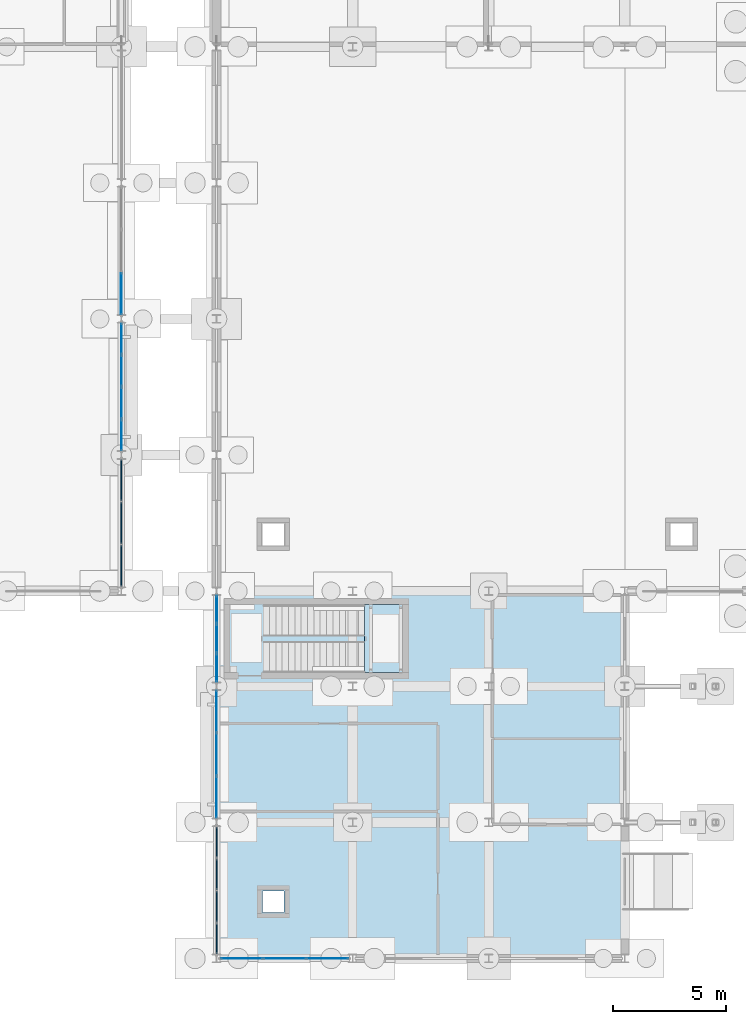
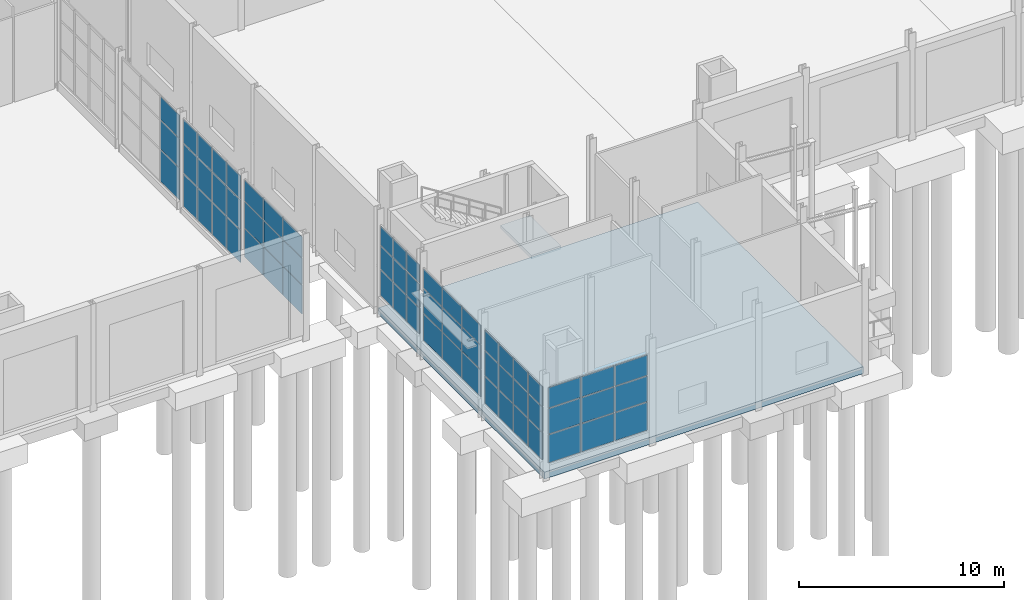
# One storey, part 66 of 120: 63 plates, 2 slabs, 8 elements without a shape of their own.
"""IFC4 building model written with IfcOpenShell, lengths in metres."""

from ifc_helpers import new_model, si_unit, direction, frame, origin, origin_2d, place, context, subcontext, project, spatial, polyline, rectangle, outline, extrude, material, layer, layer_set, type_object, element, aggregate, save


model = new_model("IFC4")

# Units and contexts
model_context = context("Model", 3, precision=1e-05, world=origin(), true_north=direction((0.0, 1.0)))
body_context = subcontext(model_context, "Body", "Model", "MODEL_VIEW")
ifc_project = project(units=[si_unit("LENGTHUNIT", "METRE"), si_unit("AREAUNIT", "SQUARE_METRE"), si_unit("VOLUMEUNIT", "CUBIC_METRE"), si_unit("PLANEANGLEUNIT", "RADIAN"), si_unit("MASSUNIT", "GRAM", prefix="KILO")], contexts=[model_context])

# Site, building, storey
site_placement = place(None, origin())
site = spatial("IfcSite", under=ifc_project, at=site_placement, CompositionType="ELEMENT")
building_placement = place(site_placement, origin())
building = spatial("IfcBuilding", under=site, at=building_placement, Name="Siltcreek Boulevard Central Fire Station", CompositionType="ELEMENT")
storey_placement = place(building_placement, origin())
storey = spatial("IfcBuildingStorey", under=building, at=storey_placement, Name="L01", CompositionType="ELEMENT", Elevation=0.0)

# Curtain wall, plates
ifc_material_1 = material(Name="Anodized aluminum and low-E insulated glazing", Category="aluminium")
curtain_wall_type_1 = type_object("IfcCurtainWallType", Name="CW_SYS_10", PredefinedType="USERDEFINED", material=ifc_material_1)
curtain_wall_1_placement = place(storey_placement, origin())
curtain_wall_1 = element("IfcCurtainWall", 1, at=curtain_wall_1_placement, inside=storey, type_object=curtain_wall_type_1, Name="L01 V1 unitised curtain wall CW-009", ObjectType="CURTAIN WALL", PredefinedType="USERDEFINED")
ifc_material_2 = material(Name="Low-E double insulated glass unit", Category="glass")
ifc_layer_1 = layer(ifc_material_2, 0.028076171875, Name="Low-E double insulated glass unit")
ifc_layer_set_1 = layer_set([ifc_layer_1], Name="Low-E double insulated glass unit")
plate_type_1 = type_object("IfcPlateType", Name="CWP_GLZ_1", PredefinedType="CURTAIN_PANEL", material=ifc_layer_set_1)
plate_1_placement = place(storey_placement, frame((42.0, 12.688232421875, 0.739990234375), z_axis=(0.0, 0.0, 1.0), x_axis=(0.0, -1.0, 0.0)))
plate_1 = element("IfcPlate", 2, at=plate_1_placement, type_object=plate_type_1, Name="CW-009 panel 1.1", PredefinedType="CURTAIN_PANEL", context=body_context, shape_type="SweptSolid", body=[
    extrude(rectangle(XDim=1.813232421875, YDim=0.028076171875, at=origin_2d()), origin(), (0.0, 0.0, 1.0), 1.568359375),
])
plate_2_placement = place(storey_placement, frame((42.0, 12.688232421875, 2.3681640625), z_axis=(0.0, 0.0, 1.0), x_axis=(0.0, -1.0, 0.0)))
plate_2 = element("IfcPlate", 3, at=plate_2_placement, type_object=plate_type_1, Name="CW-009 panel 1.2", PredefinedType="CURTAIN_PANEL", context=body_context, shape_type="SweptSolid", body=[
    extrude(rectangle(XDim=1.813232421875, YDim=0.028076171875, at=origin_2d()), origin(), (0.0, 0.0, 1.0), 1.423828125),
])
plate_3_placement = place(storey_placement, frame((42.0, 12.688232421875, 3.85205078125), z_axis=(0.0, 0.0, 1.0), x_axis=(0.0, -1.0, 0.0)))
plate_3 = element("IfcPlate", 4, at=plate_3_placement, type_object=plate_type_1, Name="CW-009 panel 1.3", PredefinedType="CURTAIN_PANEL", context=body_context, shape_type="SweptSolid", body=[
    extrude(rectangle(XDim=1.813232421875, YDim=0.028076171875, at=origin_2d()), origin(), (0.0, 0.0, 1.0), 1.1318359375),
])
plate_4_placement = place(storey_placement, frame((42.0, 10.800048828125, 0.739990234375), z_axis=(0.0, 0.0, 1.0), x_axis=(0.0, -1.0, 0.0)))
plate_4 = element("IfcPlate", 5, at=plate_4_placement, type_object=plate_type_1, Name="CW-009 panel 2.1", PredefinedType="CURTAIN_PANEL", context=body_context, shape_type="SweptSolid", body=[
    extrude(rectangle(XDim=1.84326171875, YDim=0.028076171875, at=origin_2d()), origin(), (0.0, 0.0, 1.0), 1.568359375),
])
plate_5_placement = place(storey_placement, frame((42.0, 10.800048828125, 2.3681640625), z_axis=(0.0, 0.0, 1.0), x_axis=(0.0, -1.0, 0.0)))
plate_5 = element("IfcPlate", 6, at=plate_5_placement, type_object=plate_type_1, Name="CW-009 panel 2.2", PredefinedType="CURTAIN_PANEL", context=body_context, shape_type="SweptSolid", body=[
    extrude(rectangle(XDim=1.84326171875, YDim=0.028076171875, at=origin_2d()), origin(), (0.0, 0.0, 1.0), 1.423828125),
])
plate_6_placement = place(storey_placement, frame((42.0, 10.800048828125, 3.85205078125), z_axis=(0.0, 0.0, 1.0), x_axis=(0.0, -1.0, 0.0)))
plate_6 = element("IfcPlate", 7, at=plate_6_placement, type_object=plate_type_1, Name="CW-009 panel 2.3", PredefinedType="CURTAIN_PANEL", context=body_context, shape_type="SweptSolid", body=[
    extrude(rectangle(XDim=1.84326171875, YDim=0.028076171875, at=origin_2d()), origin(), (0.0, 0.0, 1.0), 1.1318359375),
])
plate_7_placement = place(storey_placement, frame((42.0, 8.91162109375, 0.739990234375), z_axis=(0.0, 0.0, 1.0), x_axis=(0.0, -1.0, 0.0)))
plate_7 = element("IfcPlate", 8, at=plate_7_placement, type_object=plate_type_1, Name="CW-009 panel 3.1", PredefinedType="CURTAIN_PANEL", context=body_context, shape_type="SweptSolid", body=[
    extrude(rectangle(XDim=1.813232421875, YDim=0.028076171875, at=origin_2d()), origin(), (0.0, 0.0, 1.0), 1.568359375),
])
plate_8_placement = place(storey_placement, frame((42.0, 8.91162109375, 2.3681640625), z_axis=(0.0, 0.0, 1.0), x_axis=(0.0, -1.0, 0.0)))
plate_8 = element("IfcPlate", 9, at=plate_8_placement, type_object=plate_type_1, Name="CW-009 panel 3.2", PredefinedType="CURTAIN_PANEL", context=body_context, shape_type="SweptSolid", body=[
    extrude(rectangle(XDim=1.813232421875, YDim=0.028076171875, at=origin_2d()), origin(), (0.0, 0.0, 1.0), 1.423828125),
])
plate_9_placement = place(storey_placement, frame((42.0, 8.91162109375, 3.85205078125), z_axis=(0.0, 0.0, 1.0), x_axis=(0.0, -1.0, 0.0)))
plate_9 = element("IfcPlate", 10, at=plate_9_placement, type_object=plate_type_1, Name="CW-009 panel 3.3", PredefinedType="CURTAIN_PANEL", context=body_context, shape_type="SweptSolid", body=[
    extrude(rectangle(XDim=1.813232421875, YDim=0.028076171875, at=origin_2d()), origin(), (0.0, 0.0, 1.0), 1.1318359375),
])
aggregate(curtain_wall_1, [plate_1, plate_2, plate_3, plate_4, plate_5, plate_6, plate_7, plate_8, plate_9])

curtain_wall_type_2 = type_object("IfcCurtainWallType", Name="CW_SYS_07", PredefinedType="USERDEFINED", material=ifc_material_1)
curtain_wall_2_placement = place(storey_placement, origin())
curtain_wall_2 = element("IfcCurtainWall", 11, at=curtain_wall_2_placement, inside=storey, type_object=curtain_wall_type_2, Name="L01 V4 unitised curtain wall CW-096", ObjectType="CURTAIN WALL", PredefinedType="USERDEFINED")
plate_10_placement = place(storey_placement, frame((37.800048828125, 24.875, 0.385009765625), z_axis=(0.0, 0.0, 1.0), x_axis=(0.0, 1.0, 0.0)))
plate_10 = element("IfcPlate", 12, at=plate_10_placement, type_object=plate_type_1, Name="CW-096 panel 1.1", PredefinedType="CURTAIN_PANEL", context=body_context, shape_type="SweptSolid", body=[
    extrude(rectangle(XDim=1.330078125, YDim=0.028076171875, at=origin_2d()), origin(), (0.0, 0.0, 1.0), 1.916015625),
])
plate_11_placement = place(storey_placement, frame((37.800048828125, 24.875, 2.365966796875), z_axis=(0.0, 0.0, 1.0), x_axis=(0.0, 1.0, 0.0)))
plate_11 = element("IfcPlate", 13, at=plate_11_placement, type_object=plate_type_1, Name="CW-096 panel 1.2", PredefinedType="CURTAIN_PANEL", context=body_context, shape_type="SweptSolid", body=[
    extrude(rectangle(XDim=1.330078125, YDim=0.028076171875, at=origin_2d()), origin(), (0.0, 0.0, 1.0), 1.73681640625),
])
plate_12_placement = place(storey_placement, frame((37.800048828125, 24.875, 4.167724609375), z_axis=(0.0, 0.0, 1.0), x_axis=(0.0, 1.0, 0.0)))
plate_12 = element("IfcPlate", 14, at=plate_12_placement, type_object=plate_type_1, Name="CW-096 panel 1.3", PredefinedType="CURTAIN_PANEL", context=body_context, shape_type="SweptSolid", body=[
    extrude(rectangle(XDim=1.330078125, YDim=0.028076171875, at=origin_2d()), origin(), (0.0, 0.0, 1.0), 1.38623046875),
])
plate_13_placement = place(storey_placement, frame((37.800048828125, 26.2861328125, 0.385009765625), z_axis=(0.0, 0.0, 1.0), x_axis=(0.0, 1.0, 0.0)))
plate_13 = element("IfcPlate", 15, at=plate_13_placement, type_object=plate_type_1, Name="CW-096 panel 2.1", PredefinedType="CURTAIN_PANEL", context=body_context, shape_type="SweptSolid", body=[
    extrude(rectangle(XDim=1.362548828125, YDim=0.028076171875, at=origin_2d()), origin(), (0.0, 0.0, 1.0), 1.916015625),
])
plate_14_placement = place(storey_placement, frame((37.800048828125, 26.2861328125, 2.365966796875), z_axis=(0.0, 0.0, 1.0), x_axis=(0.0, 1.0, 0.0)))
plate_14 = element("IfcPlate", 16, at=plate_14_placement, type_object=plate_type_1, Name="CW-096 panel 2.2", PredefinedType="CURTAIN_PANEL", context=body_context, shape_type="SweptSolid", body=[
    extrude(rectangle(XDim=1.362548828125, YDim=0.028076171875, at=origin_2d()), origin(), (0.0, 0.0, 1.0), 1.73681640625),
])
plate_15_placement = place(storey_placement, frame((37.800048828125, 26.2861328125, 4.167724609375), z_axis=(0.0, 0.0, 1.0), x_axis=(0.0, 1.0, 0.0)))
plate_15 = element("IfcPlate", 17, at=plate_15_placement, type_object=plate_type_1, Name="CW-096 panel 2.3", PredefinedType="CURTAIN_PANEL", context=body_context, shape_type="SweptSolid", body=[
    extrude(rectangle(XDim=1.362548828125, YDim=0.028076171875, at=origin_2d()), origin(), (0.0, 0.0, 1.0), 1.38623046875),
])
plate_16_placement = place(storey_placement, frame((37.800048828125, 27.7138671875, 0.385009765625), z_axis=(0.0, 0.0, 1.0), x_axis=(0.0, 1.0, 0.0)))
plate_16 = element("IfcPlate", 18, at=plate_16_placement, type_object=plate_type_1, Name="CW-096 panel 3.1", PredefinedType="CURTAIN_PANEL", context=body_context, shape_type="SweptSolid", body=[
    extrude(rectangle(XDim=1.362548828125, YDim=0.028076171875, at=origin_2d()), origin(), (0.0, 0.0, 1.0), 1.916015625),
])
plate_17_placement = place(storey_placement, frame((37.800048828125, 27.7138671875, 2.365966796875), z_axis=(0.0, 0.0, 1.0), x_axis=(0.0, 1.0, 0.0)))
plate_17 = element("IfcPlate", 19, at=plate_17_placement, type_object=plate_type_1, Name="CW-096 panel 3.2", PredefinedType="CURTAIN_PANEL", context=body_context, shape_type="SweptSolid", body=[
    extrude(rectangle(XDim=1.362548828125, YDim=0.028076171875, at=origin_2d()), origin(), (0.0, 0.0, 1.0), 1.73681640625),
])
plate_18_placement = place(storey_placement, frame((37.800048828125, 27.7138671875, 4.167724609375), z_axis=(0.0, 0.0, 1.0), x_axis=(0.0, 1.0, 0.0)))
plate_18 = element("IfcPlate", 20, at=plate_18_placement, type_object=plate_type_1, Name="CW-096 panel 3.3", PredefinedType="CURTAIN_PANEL", context=body_context, shape_type="SweptSolid", body=[
    extrude(rectangle(XDim=1.362548828125, YDim=0.028076171875, at=origin_2d()), origin(), (0.0, 0.0, 1.0), 1.38623046875),
])
plate_19_placement = place(storey_placement, frame((37.800048828125, 29.125, 0.385009765625), z_axis=(0.0, 0.0, 1.0), x_axis=(0.0, 1.0, 0.0)))
plate_19 = element("IfcPlate", 21, at=plate_19_placement, type_object=plate_type_1, Name="CW-096 panel 4.1", PredefinedType="CURTAIN_PANEL", context=body_context, shape_type="SweptSolid", body=[
    extrude(rectangle(XDim=1.330078125, YDim=0.028076171875, at=origin_2d()), origin(), (0.0, 0.0, 1.0), 1.916015625),
])
plate_20_placement = place(storey_placement, frame((37.800048828125, 29.125, 2.365966796875), z_axis=(0.0, 0.0, 1.0), x_axis=(0.0, 1.0, 0.0)))
plate_20 = element("IfcPlate", 22, at=plate_20_placement, type_object=plate_type_1, Name="CW-096 panel 4.2", PredefinedType="CURTAIN_PANEL", context=body_context, shape_type="SweptSolid", body=[
    extrude(rectangle(XDim=1.330078125, YDim=0.028076171875, at=origin_2d()), origin(), (0.0, 0.0, 1.0), 1.73681640625),
])
plate_21_placement = place(storey_placement, frame((37.800048828125, 29.125, 4.167724609375), z_axis=(0.0, 0.0, 1.0), x_axis=(0.0, 1.0, 0.0)))
plate_21 = element("IfcPlate", 23, at=plate_21_placement, type_object=plate_type_1, Name="CW-096 panel 4.3", PredefinedType="CURTAIN_PANEL", context=body_context, shape_type="SweptSolid", body=[
    extrude(rectangle(XDim=1.330078125, YDim=0.028076171875, at=origin_2d()), origin(), (0.0, 0.0, 1.0), 1.38623046875),
])
aggregate(curtain_wall_2, [plate_10, plate_11, plate_12, plate_13, plate_14, plate_15, plate_16, plate_17, plate_18, plate_19, plate_20, plate_21])

curtain_wall_type_3 = type_object("IfcCurtainWallType", Name="CW_SYS_02", PredefinedType="USERDEFINED", material=ifc_material_1)
curtain_wall_3_placement = place(storey_placement, origin())
curtain_wall_3 = element("IfcCurtainWall", 24, at=curtain_wall_3_placement, inside=storey, type_object=curtain_wall_type_3, Name="L01 V1 unitised curtain wall CW-001", ObjectType="CURTAIN WALL", PredefinedType="USERDEFINED")
ifc_layer_2 = layer(ifc_material_2, 0.0380859375, Name="Low-E double insulated glass unit")
ifc_layer_set_2 = layer_set([ifc_layer_2], Name="Low-E double insulated glass unit")
plate_type_2 = type_object("IfcPlateType", Name="CWP_GLZ_2", PredefinedType="CURTAIN_PANEL", material=ifc_layer_set_2)
plate_22_placement = place(storey_placement, frame((43.111572265625, 1.800048828125, 0.5), z_axis=(0.0, 0.0, 1.0), x_axis=(1.0, 0.0, 0.0)))
plate_22 = element("IfcPlate", 25, at=plate_22_placement, type_object=plate_type_2, Name="CW-001 panel 1.1", PredefinedType="CURTAIN_PANEL", context=body_context, shape_type="SweptSolid", body=[
    extrude(rectangle(XDim=1.813232421875, YDim=0.0380859375, at=origin_2d()), origin(), (0.0, 0.0, 1.0), 1.656005859375),
])
plate_23_placement = place(storey_placement, frame((43.111572265625, 1.800048828125, 2.21630859375), z_axis=(0.0, 0.0, 1.0), x_axis=(1.0, 0.0, 0.0)))
plate_23 = element("IfcPlate", 26, at=plate_23_placement, type_object=plate_type_2, Name="CW-001 panel 1.2", PredefinedType="CURTAIN_PANEL", context=body_context, shape_type="SweptSolid", body=[
    extrude(rectangle(XDim=1.813232421875, YDim=0.0380859375, at=origin_2d()), origin(), (0.0, 0.0, 1.0), 1.502197265625),
])
plate_24_placement = place(storey_placement, frame((43.111572265625, 1.800048828125, 3.7783203125), z_axis=(0.0, 0.0, 1.0), x_axis=(1.0, 0.0, 0.0)))
plate_24 = element("IfcPlate", 27, at=plate_24_placement, type_object=plate_type_2, Name="CW-001 panel 1.3", PredefinedType="CURTAIN_PANEL", context=body_context, shape_type="SweptSolid", body=[
    extrude(rectangle(XDim=1.813232421875, YDim=0.0380859375, at=origin_2d()), origin(), (0.0, 0.0, 1.0), 1.196533203125),
])
plate_25_placement = place(storey_placement, frame((45.0, 1.800048828125, 0.5), z_axis=(0.0, 0.0, 1.0), x_axis=(1.0, 0.0, 0.0)))
plate_25 = element("IfcPlate", 28, at=plate_25_placement, type_object=plate_type_2, Name="CW-001 panel 2.1", PredefinedType="CURTAIN_PANEL", context=body_context, shape_type="SweptSolid", body=[
    extrude(rectangle(XDim=1.84326171875, YDim=0.0380859375, at=origin_2d()), origin(), (0.0, 0.0, 1.0), 1.656005859375),
])
plate_26_placement = place(storey_placement, frame((45.0, 1.800048828125, 2.21630859375), z_axis=(0.0, 0.0, 1.0), x_axis=(1.0, 0.0, 0.0)))
plate_26 = element("IfcPlate", 29, at=plate_26_placement, type_object=plate_type_2, Name="CW-001 panel 2.2", PredefinedType="CURTAIN_PANEL", context=body_context, shape_type="SweptSolid", body=[
    extrude(rectangle(XDim=1.84326171875, YDim=0.0380859375, at=origin_2d()), origin(), (0.0, 0.0, 1.0), 1.502197265625),
])
plate_27_placement = place(storey_placement, frame((45.0, 1.800048828125, 3.7783203125), z_axis=(0.0, 0.0, 1.0), x_axis=(1.0, 0.0, 0.0)))
plate_27 = element("IfcPlate", 30, at=plate_27_placement, type_object=plate_type_2, Name="CW-001 panel 2.3", PredefinedType="CURTAIN_PANEL", context=body_context, shape_type="SweptSolid", body=[
    extrude(rectangle(XDim=1.84326171875, YDim=0.0380859375, at=origin_2d()), origin(), (0.0, 0.0, 1.0), 1.196533203125),
])
plate_28_placement = place(storey_placement, frame((46.888427734375, 1.800048828125, 0.5), z_axis=(0.0, 0.0, 1.0), x_axis=(1.0, 0.0, 0.0)))
plate_28 = element("IfcPlate", 31, at=plate_28_placement, type_object=plate_type_2, Name="CW-001 panel 3.1", PredefinedType="CURTAIN_PANEL", context=body_context, shape_type="SweptSolid", body=[
    extrude(rectangle(XDim=1.813232421875, YDim=0.0380859375, at=origin_2d()), origin(), (0.0, 0.0, 1.0), 1.656005859375),
])
plate_29_placement = place(storey_placement, frame((46.888427734375, 1.800048828125, 2.21630859375), z_axis=(0.0, 0.0, 1.0), x_axis=(1.0, 0.0, 0.0)))
plate_29 = element("IfcPlate", 32, at=plate_29_placement, type_object=plate_type_2, Name="CW-001 panel 3.2", PredefinedType="CURTAIN_PANEL", context=body_context, shape_type="SweptSolid", body=[
    extrude(rectangle(XDim=1.813232421875, YDim=0.0380859375, at=origin_2d()), origin(), (0.0, 0.0, 1.0), 1.502197265625),
])
plate_30_placement = place(storey_placement, frame((46.888427734375, 1.800048828125, 3.7783203125), z_axis=(0.0, 0.0, 1.0), x_axis=(1.0, 0.0, 0.0)))
plate_30 = element("IfcPlate", 33, at=plate_30_placement, type_object=plate_type_2, Name="CW-001 panel 3.3", PredefinedType="CURTAIN_PANEL", context=body_context, shape_type="SweptSolid", body=[
    extrude(rectangle(XDim=1.813232421875, YDim=0.0380859375, at=origin_2d()), origin(), (0.0, 0.0, 1.0), 1.196533203125),
])
aggregate(curtain_wall_3, [plate_22, plate_23, plate_24, plate_25, plate_26, plate_27, plate_28, plate_29, plate_30])

curtain_wall_type_4 = type_object("IfcCurtainWallType", Name="CW_SYS_11", PredefinedType="USERDEFINED", material=ifc_material_1)
curtain_wall_4_placement = place(storey_placement, origin())
curtain_wall_4 = element("IfcCurtainWall", 34, at=curtain_wall_4_placement, inside=storey, type_object=curtain_wall_type_4, Name="L01 V1 unitised curtain wall CW-010", ObjectType="CURTAIN WALL", PredefinedType="USERDEFINED")
plate_31_placement = place(storey_placement, frame((42.0, 17.18701171875, 0.864990234375), z_axis=(0.0, 0.0, 1.0), x_axis=(0.0, -1.0, 0.0)))
plate_31 = element("IfcPlate", 35, at=plate_31_placement, type_object=plate_type_2, Name="CW-010 panel 1.1", PredefinedType="CURTAIN_PANEL", context=body_context, shape_type="SweptSolid", body=[
    extrude(rectangle(XDim=1.205810546875, YDim=0.0380859375, at=origin_2d()), origin(), (0.0, 0.0, 1.0), 1.51513671875),
])
plate_32_placement = place(storey_placement, frame((42.0, 17.18701171875, 2.4453125), z_axis=(0.0, 0.0, 1.0), x_axis=(0.0, -1.0, 0.0)))
plate_32 = element("IfcPlate", 36, at=plate_32_placement, type_object=plate_type_2, Name="CW-010 panel 1.2", PredefinedType="CURTAIN_PANEL", context=body_context, shape_type="SweptSolid", body=[
    extrude(rectangle(XDim=1.205810546875, YDim=0.0380859375, at=origin_2d()), origin(), (0.0, 0.0, 1.0), 1.3779296875),
])
plate_33_placement = place(storey_placement, frame((42.0, 17.18701171875, 3.88818359375), z_axis=(0.0, 0.0, 1.0), x_axis=(0.0, -1.0, 0.0)))
plate_33 = element("IfcPlate", 37, at=plate_33_placement, type_object=plate_type_2, Name="CW-010 panel 1.3", PredefinedType="CURTAIN_PANEL", context=body_context, shape_type="SweptSolid", body=[
    extrude(rectangle(XDim=1.205810546875, YDim=0.0380859375, at=origin_2d()), origin(), (0.0, 0.0, 1.0), 1.0908203125),
])
plate_34_placement = place(storey_placement, frame((42.0, 15.89990234375, 0.864990234375), z_axis=(0.0, 0.0, 1.0), x_axis=(0.0, -1.0, 0.0)))
plate_34 = element("IfcPlate", 38, at=plate_34_placement, type_object=plate_type_2, Name="CW-010 panel 2.1", PredefinedType="CURTAIN_PANEL", context=body_context, shape_type="SweptSolid", body=[
    extrude(rectangle(XDim=1.23828125, YDim=0.0380859375, at=origin_2d()), origin(), (0.0, 0.0, 1.0), 1.51513671875),
])
plate_35_placement = place(storey_placement, frame((42.0, 15.89990234375, 2.4453125), z_axis=(0.0, 0.0, 1.0), x_axis=(0.0, -1.0, 0.0)))
plate_35 = element("IfcPlate", 39, at=plate_35_placement, type_object=plate_type_2, Name="CW-010 panel 2.2", PredefinedType="CURTAIN_PANEL", context=body_context, shape_type="SweptSolid", body=[
    extrude(rectangle(XDim=1.23828125, YDim=0.0380859375, at=origin_2d()), origin(), (0.0, 0.0, 1.0), 1.3779296875),
])
plate_36_placement = place(storey_placement, frame((42.0, 15.89990234375, 3.88818359375), z_axis=(0.0, 0.0, 1.0), x_axis=(0.0, -1.0, 0.0)))
plate_36 = element("IfcPlate", 40, at=plate_36_placement, type_object=plate_type_2, Name="CW-010 panel 2.3", PredefinedType="CURTAIN_PANEL", context=body_context, shape_type="SweptSolid", body=[
    extrude(rectangle(XDim=1.23828125, YDim=0.0380859375, at=origin_2d()), origin(), (0.0, 0.0, 1.0), 1.0908203125),
])
plate_37_placement = place(storey_placement, frame((42.0, 14.613037109375, 0.864990234375), z_axis=(0.0, 0.0, 1.0), x_axis=(0.0, -1.0, 0.0)))
plate_37 = element("IfcPlate", 41, at=plate_37_placement, type_object=plate_type_2, Name="CW-010 panel 3.1", PredefinedType="CURTAIN_PANEL", context=body_context, shape_type="SweptSolid", body=[
    extrude(rectangle(XDim=1.205810546875, YDim=0.0380859375, at=origin_2d()), origin(), (0.0, 0.0, 1.0), 1.51513671875),
])
plate_38_placement = place(storey_placement, frame((42.0, 14.613037109375, 2.4453125), z_axis=(0.0, 0.0, 1.0), x_axis=(0.0, -1.0, 0.0)))
plate_38 = element("IfcPlate", 42, at=plate_38_placement, type_object=plate_type_2, Name="CW-010 panel 3.2", PredefinedType="CURTAIN_PANEL", context=body_context, shape_type="SweptSolid", body=[
    extrude(rectangle(XDim=1.205810546875, YDim=0.0380859375, at=origin_2d()), origin(), (0.0, 0.0, 1.0), 1.3779296875),
])
plate_39_placement = place(storey_placement, frame((42.0, 14.613037109375, 3.88818359375), z_axis=(0.0, 0.0, 1.0), x_axis=(0.0, -1.0, 0.0)))
plate_39 = element("IfcPlate", 43, at=plate_39_placement, type_object=plate_type_2, Name="CW-010 panel 3.3", PredefinedType="CURTAIN_PANEL", context=body_context, shape_type="SweptSolid", body=[
    extrude(rectangle(XDim=1.205810546875, YDim=0.0380859375, at=origin_2d()), origin(), (0.0, 0.0, 1.0), 1.0908203125),
])
aggregate(curtain_wall_4, [plate_31, plate_32, plate_33, plate_34, plate_35, plate_36, plate_37, plate_38, plate_39])

curtain_wall_type_5 = type_object("IfcCurtainWallType", Name="CW_SYS_08", PredefinedType="USERDEFINED", material=ifc_material_1)
curtain_wall_5_placement = place(storey_placement, origin())
curtain_wall_5 = element("IfcCurtainWall", 44, at=curtain_wall_5_placement, inside=storey, type_object=curtain_wall_type_5, Name="L01 V4 unitised curtain wall CW-097", ObjectType="CURTAIN WALL", PredefinedType="USERDEFINED")
plate_40_placement = place(storey_placement, frame((37.800048828125, 31.111572265625, 0.5), z_axis=(0.0, 0.0, 1.0), x_axis=(0.0, 1.0, 0.0)))
plate_40 = element("IfcPlate", 45, at=plate_40_placement, type_object=plate_type_2, Name="CW-097 panel 1.1", PredefinedType="CURTAIN_PANEL", context=body_context, shape_type="SweptSolid", body=[
    extrude(rectangle(XDim=1.813232421875, YDim=0.0380859375, at=origin_2d()), origin(), (0.0, 0.0, 1.0), 1.8779296875),
])
plate_41_placement = place(storey_placement, frame((37.800048828125, 31.111572265625, 2.43798828125), z_axis=(0.0, 0.0, 1.0), x_axis=(0.0, 1.0, 0.0)))
plate_41 = element("IfcPlate", 46, at=plate_41_placement, type_object=plate_type_2, Name="CW-097 panel 1.2", PredefinedType="CURTAIN_PANEL", context=body_context, shape_type="SweptSolid", body=[
    extrude(rectangle(XDim=1.813232421875, YDim=0.0380859375, at=origin_2d()), origin(), (0.0, 0.0, 1.0), 1.700927734375),
])
plate_42_placement = place(storey_placement, frame((37.800048828125, 31.111572265625, 4.19873046875), z_axis=(0.0, 0.0, 1.0), x_axis=(0.0, 1.0, 0.0)))
plate_42 = element("IfcPlate", 47, at=plate_42_placement, type_object=plate_type_2, Name="CW-097 panel 1.3", PredefinedType="CURTAIN_PANEL", context=body_context, shape_type="SweptSolid", body=[
    extrude(rectangle(XDim=1.813232421875, YDim=0.0380859375, at=origin_2d()), origin(), (0.0, 0.0, 1.0), 1.360107421875),
])
aggregate(curtain_wall_5, [plate_40, plate_41, plate_42])

curtain_wall_type_6 = type_object("IfcCurtainWallType", Name="CW_SYS_09", PredefinedType="USERDEFINED", material=ifc_material_1)
curtain_wall_6_placement = place(storey_placement, origin())
curtain_wall_6 = element("IfcCurtainWall", 48, at=curtain_wall_6_placement, inside=storey, type_object=curtain_wall_type_6, Name="L01 V1 unitised curtain wall CW-008", ObjectType="CURTAIN WALL", PredefinedType="USERDEFINED")
ifc_layer_3 = layer(ifc_material_2, 0.048095703125, Name="Low-E double insulated glass unit")
ifc_layer_set_3 = layer_set([ifc_layer_3], Name="Low-E double insulated glass unit")
plate_type_3 = type_object("IfcPlateType", Name="CWP_GLZ_3", PredefinedType="CURTAIN_PANEL", material=ifc_layer_set_3)
plate_43_placement = place(storey_placement, frame((42.0, 6.925048828125, 0.625), z_axis=(0.0, 0.0, 1.0), x_axis=(0.0, -1.0, 0.0)))
plate_43 = element("IfcPlate", 49, at=plate_43_placement, type_object=plate_type_3, Name="CW-008 panel 1.1", PredefinedType="CURTAIN_PANEL", context=body_context, shape_type="SweptSolid", body=[
    extrude(rectangle(XDim=1.330078125, YDim=0.048095703125, at=origin_2d()), origin(), (0.0, 0.0, 1.0), 1.6064453125),
])
plate_44_placement = place(storey_placement, frame((42.0, 6.925048828125, 2.29638671875), z_axis=(0.0, 0.0, 1.0), x_axis=(0.0, -1.0, 0.0)))
plate_44 = element("IfcPlate", 50, at=plate_44_placement, type_object=plate_type_3, Name="CW-008 panel 1.2", PredefinedType="CURTAIN_PANEL", context=body_context, shape_type="SweptSolid", body=[
    extrude(rectangle(XDim=1.330078125, YDim=0.048095703125, at=origin_2d()), origin(), (0.0, 0.0, 1.0), 1.459716796875),
])
plate_45_placement = place(storey_placement, frame((42.0, 6.925048828125, 3.82080078125), z_axis=(0.0, 0.0, 1.0), x_axis=(0.0, -1.0, 0.0)))
plate_45 = element("IfcPlate", 51, at=plate_45_placement, type_object=plate_type_3, Name="CW-008 panel 1.3", PredefinedType="CURTAIN_PANEL", context=body_context, shape_type="SweptSolid", body=[
    extrude(rectangle(XDim=1.330078125, YDim=0.048095703125, at=origin_2d()), origin(), (0.0, 0.0, 1.0), 1.157958984375),
])
plate_46_placement = place(storey_placement, frame((42.0, 5.513671875, 0.625), z_axis=(0.0, 0.0, 1.0), x_axis=(0.0, -1.0, 0.0)))
plate_46 = element("IfcPlate", 52, at=plate_46_placement, type_object=plate_type_3, Name="CW-008 panel 2.1", PredefinedType="CURTAIN_PANEL", context=body_context, shape_type="SweptSolid", body=[
    extrude(rectangle(XDim=1.362548828125, YDim=0.048095703125, at=origin_2d()), origin(), (0.0, 0.0, 1.0), 1.6064453125),
])
plate_47_placement = place(storey_placement, frame((42.0, 5.513671875, 2.29638671875), z_axis=(0.0, 0.0, 1.0), x_axis=(0.0, -1.0, 0.0)))
plate_47 = element("IfcPlate", 53, at=plate_47_placement, type_object=plate_type_3, Name="CW-008 panel 2.2", PredefinedType="CURTAIN_PANEL", context=body_context, shape_type="SweptSolid", body=[
    extrude(rectangle(XDim=1.362548828125, YDim=0.048095703125, at=origin_2d()), origin(), (0.0, 0.0, 1.0), 1.459716796875),
])
plate_48_placement = place(storey_placement, frame((42.0, 5.513671875, 3.82080078125), z_axis=(0.0, 0.0, 1.0), x_axis=(0.0, -1.0, 0.0)))
plate_48 = element("IfcPlate", 54, at=plate_48_placement, type_object=plate_type_3, Name="CW-008 panel 2.3", PredefinedType="CURTAIN_PANEL", context=body_context, shape_type="SweptSolid", body=[
    extrude(rectangle(XDim=1.362548828125, YDim=0.048095703125, at=origin_2d()), origin(), (0.0, 0.0, 1.0), 1.157958984375),
])
plate_49_placement = place(storey_placement, frame((42.0, 4.086181640625, 0.625), z_axis=(0.0, 0.0, 1.0), x_axis=(0.0, -1.0, 0.0)))
plate_49 = element("IfcPlate", 55, at=plate_49_placement, type_object=plate_type_3, Name="CW-008 panel 3.1", PredefinedType="CURTAIN_PANEL", context=body_context, shape_type="SweptSolid", body=[
    extrude(rectangle(XDim=1.362548828125, YDim=0.048095703125, at=origin_2d()), origin(), (0.0, 0.0, 1.0), 1.6064453125),
])
plate_50_placement = place(storey_placement, frame((42.0, 4.086181640625, 2.29638671875), z_axis=(0.0, 0.0, 1.0), x_axis=(0.0, -1.0, 0.0)))
plate_50 = element("IfcPlate", 56, at=plate_50_placement, type_object=plate_type_3, Name="CW-008 panel 3.2", PredefinedType="CURTAIN_PANEL", context=body_context, shape_type="SweptSolid", body=[
    extrude(rectangle(XDim=1.362548828125, YDim=0.048095703125, at=origin_2d()), origin(), (0.0, 0.0, 1.0), 1.459716796875),
])
plate_51_placement = place(storey_placement, frame((42.0, 4.086181640625, 3.82080078125), z_axis=(0.0, 0.0, 1.0), x_axis=(0.0, -1.0, 0.0)))
plate_51 = element("IfcPlate", 57, at=plate_51_placement, type_object=plate_type_3, Name="CW-008 panel 3.3", PredefinedType="CURTAIN_PANEL", context=body_context, shape_type="SweptSolid", body=[
    extrude(rectangle(XDim=1.362548828125, YDim=0.048095703125, at=origin_2d()), origin(), (0.0, 0.0, 1.0), 1.157958984375),
])
plate_52_placement = place(storey_placement, frame((42.0, 2.675048828125, 0.625), z_axis=(0.0, 0.0, 1.0), x_axis=(0.0, -1.0, 0.0)))
plate_52 = element("IfcPlate", 58, at=plate_52_placement, type_object=plate_type_3, Name="CW-008 panel 4.1", PredefinedType="CURTAIN_PANEL", context=body_context, shape_type="SweptSolid", body=[
    extrude(rectangle(XDim=1.330078125, YDim=0.048095703125, at=origin_2d()), origin(), (0.0, 0.0, 1.0), 1.6064453125),
])
plate_53_placement = place(storey_placement, frame((42.0, 2.675048828125, 2.29638671875), z_axis=(0.0, 0.0, 1.0), x_axis=(0.0, -1.0, 0.0)))
plate_53 = element("IfcPlate", 59, at=plate_53_placement, type_object=plate_type_3, Name="CW-008 panel 4.2", PredefinedType="CURTAIN_PANEL", context=body_context, shape_type="SweptSolid", body=[
    extrude(rectangle(XDim=1.330078125, YDim=0.048095703125, at=origin_2d()), origin(), (0.0, 0.0, 1.0), 1.459716796875),
])
plate_54_placement = place(storey_placement, frame((42.0, 2.675048828125, 3.82080078125), z_axis=(0.0, 0.0, 1.0), x_axis=(0.0, -1.0, 0.0)))
plate_54 = element("IfcPlate", 60, at=plate_54_placement, type_object=plate_type_3, Name="CW-008 panel 4.3", PredefinedType="CURTAIN_PANEL", context=body_context, shape_type="SweptSolid", body=[
    extrude(rectangle(XDim=1.330078125, YDim=0.048095703125, at=origin_2d()), origin(), (0.0, 0.0, 1.0), 1.157958984375),
])
aggregate(curtain_wall_6, [plate_43, plate_44, plate_45, plate_46, plate_47, plate_48, plate_49, plate_50, plate_51, plate_52, plate_53, plate_54])

curtain_wall_type_7 = type_object("IfcCurtainWallType", Name="CW_SYS_06", PredefinedType="USERDEFINED", material=ifc_material_1)
curtain_wall_7_placement = place(storey_placement, origin())
curtain_wall_7 = element("IfcCurtainWall", 61, at=curtain_wall_7_placement, inside=storey, type_object=curtain_wall_type_7, Name="L01 V4 unitised curtain wall CW-095", ObjectType="CURTAIN WALL", PredefinedType="USERDEFINED")
plate_55_placement = place(storey_placement, frame((37.800048828125, 19.111572265625, 0.97998046875), z_axis=(0.0, 0.0, 1.0), x_axis=(0.0, 1.0, 0.0)))
plate_55 = element("IfcPlate", 62, at=plate_55_placement, type_object=plate_type_3, Name="CW-095 panel 1.1", PredefinedType="CURTAIN_PANEL", context=body_context, shape_type="SweptSolid", body=[
    extrude(rectangle(XDim=1.813232421875, YDim=0.048095703125, at=origin_2d()), origin(), (0.0, 0.0, 1.0), 1.695556640625),
])
plate_56_placement = place(storey_placement, frame((37.800048828125, 19.111572265625, 2.735595703125), z_axis=(0.0, 0.0, 1.0), x_axis=(0.0, 1.0, 0.0)))
plate_56 = element("IfcPlate", 63, at=plate_56_placement, type_object=plate_type_3, Name="CW-095 panel 1.2", PredefinedType="CURTAIN_PANEL", context=body_context, shape_type="SweptSolid", body=[
    extrude(rectangle(XDim=1.813232421875, YDim=0.048095703125, at=origin_2d()), origin(), (0.0, 0.0, 1.0), 1.53759765625),
])
plate_57_placement = place(storey_placement, frame((37.800048828125, 19.111572265625, 4.333251953125), z_axis=(0.0, 0.0, 1.0), x_axis=(0.0, 1.0, 0.0)))
plate_57 = element("IfcPlate", 64, at=plate_57_placement, type_object=plate_type_3, Name="CW-095 panel 1.3", PredefinedType="CURTAIN_PANEL", context=body_context, shape_type="SweptSolid", body=[
    extrude(rectangle(XDim=1.813232421875, YDim=0.048095703125, at=origin_2d()), origin(), (0.0, 0.0, 1.0), 1.2255859375),
])
plate_58_placement = place(storey_placement, frame((37.800048828125, 21.0, 0.97998046875), z_axis=(0.0, 0.0, 1.0), x_axis=(0.0, 1.0, 0.0)))
plate_58 = element("IfcPlate", 65, at=plate_58_placement, type_object=plate_type_3, Name="CW-095 panel 2.1", PredefinedType="CURTAIN_PANEL", context=body_context, shape_type="SweptSolid", body=[
    extrude(rectangle(XDim=1.84326171875, YDim=0.048095703125, at=origin_2d()), origin(), (0.0, 0.0, 1.0), 1.695556640625),
])
plate_59_placement = place(storey_placement, frame((37.800048828125, 21.0, 2.735595703125), z_axis=(0.0, 0.0, 1.0), x_axis=(0.0, 1.0, 0.0)))
plate_59 = element("IfcPlate", 66, at=plate_59_placement, type_object=plate_type_3, Name="CW-095 panel 2.2", PredefinedType="CURTAIN_PANEL", context=body_context, shape_type="SweptSolid", body=[
    extrude(rectangle(XDim=1.84326171875, YDim=0.048095703125, at=origin_2d()), origin(), (0.0, 0.0, 1.0), 1.53759765625),
])
plate_60_placement = place(storey_placement, frame((37.800048828125, 21.0, 4.333251953125), z_axis=(0.0, 0.0, 1.0), x_axis=(0.0, 1.0, 0.0)))
plate_60 = element("IfcPlate", 67, at=plate_60_placement, type_object=plate_type_3, Name="CW-095 panel 2.3", PredefinedType="CURTAIN_PANEL", context=body_context, shape_type="SweptSolid", body=[
    extrude(rectangle(XDim=1.84326171875, YDim=0.048095703125, at=origin_2d()), origin(), (0.0, 0.0, 1.0), 1.2255859375),
])
plate_61_placement = place(storey_placement, frame((37.800048828125, 22.888427734375, 0.97998046875), z_axis=(0.0, 0.0, 1.0), x_axis=(0.0, 1.0, 0.0)))
plate_61 = element("IfcPlate", 68, at=plate_61_placement, type_object=plate_type_3, Name="CW-095 panel 3.1", PredefinedType="CURTAIN_PANEL", context=body_context, shape_type="SweptSolid", body=[
    extrude(rectangle(XDim=1.813232421875, YDim=0.048095703125, at=origin_2d()), origin(), (0.0, 0.0, 1.0), 1.695556640625),
])
plate_62_placement = place(storey_placement, frame((37.800048828125, 22.888427734375, 2.735595703125), z_axis=(0.0, 0.0, 1.0), x_axis=(0.0, 1.0, 0.0)))
plate_62 = element("IfcPlate", 69, at=plate_62_placement, type_object=plate_type_3, Name="CW-095 panel 3.2", PredefinedType="CURTAIN_PANEL", context=body_context, shape_type="SweptSolid", body=[
    extrude(rectangle(XDim=1.813232421875, YDim=0.048095703125, at=origin_2d()), origin(), (0.0, 0.0, 1.0), 1.53759765625),
])
plate_63_placement = place(storey_placement, frame((37.800048828125, 22.888427734375, 4.333251953125), z_axis=(0.0, 0.0, 1.0), x_axis=(0.0, 1.0, 0.0)))
plate_63 = element("IfcPlate", 70, at=plate_63_placement, type_object=plate_type_3, Name="CW-095 panel 3.3", PredefinedType="CURTAIN_PANEL", context=body_context, shape_type="SweptSolid", body=[
    extrude(rectangle(XDim=1.813232421875, YDim=0.048095703125, at=origin_2d()), origin(), (0.0, 0.0, 1.0), 1.2255859375),
])
aggregate(curtain_wall_7, [plate_55, plate_56, plate_57, plate_58, plate_59, plate_60, plate_61, plate_62, plate_63])

# Slab
ifc_material_3 = material(Name="Concrete C35/45", Category="concrete")
ifc_layer_4 = layer(ifc_material_3, 0.409912109375, Name="Concrete C35/45")
ifc_layer_set_4 = layer_set([ifc_layer_4], Name="Concrete C35/45")
slab_type_1 = type_object("IfcSlabType", Name="SL_BASE350", PredefinedType="BASESLAB", material=ifc_layer_set_4)
slab_1_placement = place(storey_placement, frame((0.0, 0.0, -0.409912109375)))
element("IfcSlab", 71, at=slab_1_placement, inside=storey, type_object=slab_type_1, Name="L01 V1 structural floor slab SL-007", PredefinedType="BASESLAB", context=body_context, shape_type="SweptSolid", body=[
    extrude(outline(polyline([(60.0, 18.0), (60.0, 1.800048828125), (42.0, 1.800048828125), (42.0, 18.0), (60.0, 18.0)]), holes=[polyline([(44.97998046875, 4.780029296875), (44.02001953125, 4.780029296875), (44.02001953125, 3.820068359375), (44.97998046875, 3.820068359375), (44.97998046875, 4.780029296875)])]), origin(), (0.0, 0.0, 1.0), 0.409912109375),
])

# Stair, slab
ifc_material_4 = material(Name="Precast concrete C40/50", Category="concrete")
stair_type = type_object("IfcStairType", Name="ST_DOG_H60", PredefinedType="HALF_TURN_STAIR", material=ifc_material_4)
stair_placement = place(storey_placement, origin())
stair = element("IfcStair", 72, at=stair_placement, inside=storey, type_object=stair_type, Name="L01 Enclosed exit stairway ST-V1P", PredefinedType="HALF_TURN_STAIR")
ifc_layer_5 = layer(ifc_material_4, 0.199951171875, Name="Precast concrete C40/50")
ifc_layer_set_5 = layer_set([ifc_layer_5], Name="Precast concrete C40/50")
slab_type_2 = type_object("IfcSlabType", Name="SL_LAND200", PredefinedType="LANDING", material=ifc_layer_set_5)
slab_2_placement = place(storey_placement, frame((0.0, 0.0, 2.800048828125)))
slab_2 = element("IfcSlab", 73, at=slab_2_placement, type_object=slab_type_2, Name="ST-V1P landing 1", PredefinedType="LANDING", context=body_context, shape_type="SweptSolid", body=[
    extrude(outline(polyline([(48.530029296875, 14.39990234375), (50.199951171875, 14.39990234375), (50.199951171875, 17.39990234375), (48.530029296875, 17.39990234375), (48.530029296875, 14.39990234375)])), origin(), (0.0, 0.0, 1.0), 0.199951171875),
])
aggregate(stair, [slab_2])

save(model, "model.ifc")
